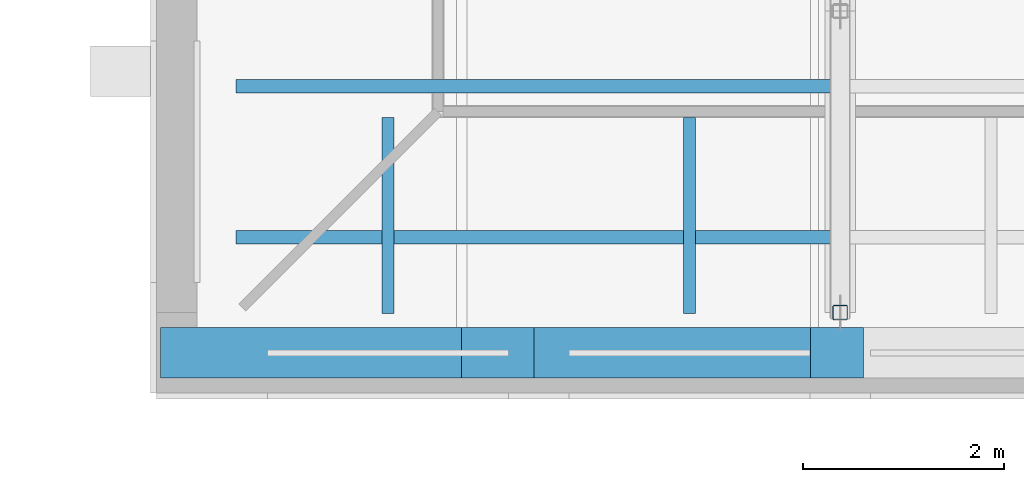
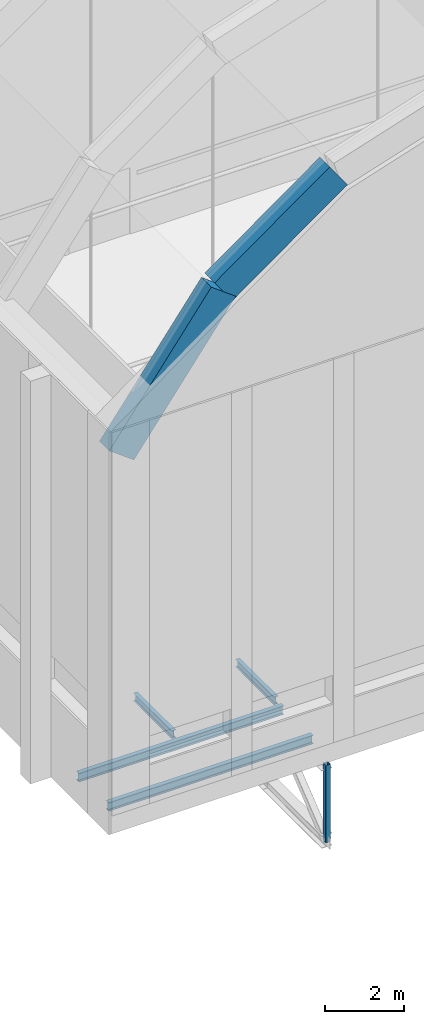
# One storey, part 1 of 55: 4 beams, 3 members.
"""IFC4 building model written with IfcOpenShell, lengths in metres."""

import ifcopenshell
import ifcopenshell.guid

model = None  # the IFC model being written
_history = None  # IfcOwnerHistory: only IFC2X3 demands one
_inside = {}  # id of a spatial element -> (the spatial element, [elements in it])
_under = {}  # id of a project, library or spatial element -> (it, [spatial elements below it])
_declared = {}  # id of a project -> (the project, [libraries it declares])
_typed = {}  # id of a type object -> (the type object, [elements of that type])
_made_of = {}  # id of a material, layer set ... -> (it, [elements and type objects made of it])


def new_model(schema):
    """Start an empty IFC model of exactly this schema.

    Asked for "IFC4X3", IfcOpenShell would pick the latest addendum, in which some entities
    have other attributes; the version numbers below select the first issue.
    IFC2X3 requires an IfcOwnerHistory on every rooted entity: one is made here for all.
    """
    global model, _history
    if schema == "IFC4X3":
        model = ifcopenshell.file(schema_version=(4, 3, 0, 0))
    else:
        model = ifcopenshell.file(schema=schema)
    _inside.clear()
    _under.clear()
    _declared.clear()
    _typed.clear()
    _made_of.clear()
    _history = None
    if model.schema == "IFC2X3":
        org = make("IfcOrganization", Name="unknown")
        user = make(
            "IfcPersonAndOrganization",
            ThePerson=make("IfcPerson", FamilyName="unknown"),
            TheOrganization=org,
        )
        app = make(
            "IfcApplication",
            ApplicationDeveloper=org,
            Version="unknown",
            ApplicationFullName="unknown",
            ApplicationIdentifier="unknown",
        )
        _history = make(
            "IfcOwnerHistory",
            OwningUser=user,
            OwningApplication=app,
            ChangeAction="ADDED",
            CreationDate=0,
        )
    return model


def make(cls, **values):
    """One entity of the class cls with the attributes given. An attribute that is None is left unset."""
    return model.create_entity(
        cls, **{name: value for name, value in values.items() if value is not None}
    )


def rooted(cls, **values):
    """An entity with a GlobalId (a new one), such as an element, a storey or a relation."""
    return make(cls, GlobalId=ifcopenshell.guid.new(), OwnerHistory=_history, **values)


def si_unit(unit_type, name, prefix=None):
    """IfcSIUnit, for example si_unit("LENGTHUNIT", "METRE", prefix="MILLI")."""
    return make("IfcSIUnit", UnitType=unit_type, Prefix=prefix, Name=name)


def assignment(units):
    """IfcUnitAssignment: the units of a project."""
    return None if units is None else make("IfcUnitAssignment", Units=units)


def point(xyz):
    """IfcCartesianPoint."""
    return None if xyz is None else make("IfcCartesianPoint", Coordinates=xyz)


def direction(xyz):
    """IfcDirection."""
    return None if xyz is None else make("IfcDirection", DirectionRatios=xyz)


def frame(location, z_axis=None, x_axis=None):
    """IfcAxis2Placement3D, a coordinate frame: its origin and axes. An axis left out is left unset."""
    return make(
        "IfcAxis2Placement3D",
        Location=point(location),
        Axis=direction(z_axis),
        RefDirection=direction(x_axis),
    )


def frame_2d(location, x_axis=None):
    """IfcAxis2Placement2D, a coordinate frame in the plane: its origin and x axis."""
    return make(
        "IfcAxis2Placement2D", Location=point(location), RefDirection=direction(x_axis)
    )


def origin():
    """The frame at (0, 0, 0) with its axes left unset."""
    return frame((0.0, 0.0, 0.0))


def origin_2d():
    """The frame at (0, 0) in the plane with its x axis left unset."""
    return frame_2d((0.0, 0.0))


def place(relative_to, where):
    """IfcLocalPlacement: puts the frame where relative to a parent placement (None: the world)."""
    return make(
        "IfcLocalPlacement", PlacementRelTo=relative_to, RelativePlacement=where
    )


def context(
    kind, dimensions, precision=None, world=None, true_north=None, identifier=None
):
    """IfcGeometricRepresentationContext, for example the 3D "Model" context."""
    return make(
        "IfcGeometricRepresentationContext",
        ContextIdentifier=identifier,
        ContextType=kind,
        CoordinateSpaceDimension=dimensions,
        Precision=precision,
        WorldCoordinateSystem=world,
        TrueNorth=true_north,
    )


def subcontext(parent, identifier, kind, view, scale=None):
    """IfcGeometricRepresentationSubContext, for example "Body" below "Model"."""
    return make(
        "IfcGeometricRepresentationSubContext",
        ContextIdentifier=identifier,
        ContextType=kind,
        ParentContext=parent,
        TargetScale=scale,
        TargetView=view,
    )


def project(units=None, contexts=None):
    """IfcProject with its units and contexts."""
    return rooted(
        "IfcProject",
        Name="project",
        RepresentationContexts=contexts,
        UnitsInContext=assignment(units),
    )


def spatial(cls, under=None, at=None, **own):
    """A site, building, storey or space (cls), placed at a placement, below another one or the project."""
    s = rooted(cls, ObjectPlacement=at, **own)
    if under is not None:
        _under.setdefault(under.id(), (under, []))[1].append(s)
    return s


def profile(cls, at=None, kind="AREA", **sizes):
    """A parametric profile (cls). Its sizes go by their IFC names, for example OverallWidth=200.0."""
    return make(cls, ProfileType=kind, Position=at, **sizes)


def rectangle(**sizes):
    """IfcRectangleProfileDef."""
    return profile("IfcRectangleProfileDef", **sizes)


def hollow_rectangle(**sizes):
    """IfcRectangleHollowProfileDef."""
    return profile("IfcRectangleHollowProfileDef", **sizes)


def i_section(**sizes):
    """IfcIShapeProfileDef."""
    return profile("IfcIShapeProfileDef", **sizes)


def extrude(swept, where, along, depth):
    """IfcExtrudedAreaSolid: the profile swept, set in the frame where, extruded along a direction by depth."""
    return make(
        "IfcExtrudedAreaSolid",
        SweptArea=swept,
        Position=where,
        ExtrudedDirection=direction(along),
        Depth=depth,
    )


def shape(context_of_items, identifier, shape_type, items):
    """IfcShapeRepresentation: the items that make up one representation, for example the "Body"."""
    return make(
        "IfcShapeRepresentation",
        ContextOfItems=context_of_items,
        RepresentationIdentifier=identifier,
        RepresentationType=shape_type,
        Items=items,
    )


def material(Name=None, Category=None):
    """IfcMaterial."""
    return make("IfcMaterial", Name=Name, Category=Category)


def material_profile(
    of_material, cross_section, Name=None, Category=None, Priority=None
):
    """IfcMaterialProfile: a cross section and its material."""
    return make(
        "IfcMaterialProfile",
        Name=Name,
        Material=of_material,
        Profile=cross_section,
        Priority=Priority,
        Category=Category,
    )


def profile_set(profiles, Name=None, composite=None):
    """IfcMaterialProfileSet."""
    return make(
        "IfcMaterialProfileSet",
        Name=Name,
        MaterialProfiles=profiles,
        CompositeProfile=composite,
    )


def made_of(thing, what):
    """Note that an element or type object is made of a material, layer set ...; save() writes the relation."""
    if what is not None:
        _made_of.setdefault(what.id(), (what, []))[1].append(thing)
    return thing


def type_object(cls, material=None, **own):
    """A type object (cls), such as IfcWallType, which elements share."""
    return made_of(rooted(cls, **own), material)


def element(
    cls,
    number,
    at=None,
    inside=None,
    cuts=None,
    type_object=None,
    material=None,
    context=None,
    identifier="Body",
    shape_type=None,
    held_by="IfcProductDefinitionShape",
    body=None,
    shapes=None,
    **own,
):
    """One element of the class cls, such as IfcWall. Its Tag is "e" and its number.

    at: its placement. inside: the storey or other place that contains it. cuts: it is an
    opening in that element (IfcRelVoidsElement). A single representation is given by context,
    identifier, shape_type and body (its items); several are given by shapes. held_by: the class
    of the entity that holds the representations. save() writes the other relations.
    """
    e = rooted(cls, Tag="e%d" % number, ObjectPlacement=at, **own)
    if body is not None:
        shapes = [shape(context, identifier, shape_type, body)]
    if shapes is not None:
        e.Representation = make(held_by, Representations=shapes)
    if inside is not None:
        _inside.setdefault(inside.id(), (inside, []))[1].append(e)
    if cuts is not None:
        rooted(
            "IfcRelVoidsElement", RelatingBuildingElement=cuts, RelatedOpeningElement=e
        )
    if type_object is not None:
        _typed.setdefault(type_object.id(), (type_object, []))[1].append(e)
    return made_of(e, material)


def aggregate(whole, parts):
    """IfcRelAggregates: a whole, such as a stair, and the parts it consists of."""
    return rooted("IfcRelAggregates", RelatingObject=whole, RelatedObjects=parts)


def save(model, path):
    """Write the relations noted so far, then the file.

    IfcRelAggregates (storeys below a building ...), IfcRelContainedInSpatialStructure (elements
    in a storey), IfcRelDefinesByType, IfcRelAssociatesMaterial and IfcRelDeclares: one each for
    every whole, place, type object, material and project.
    """
    for whole, parts in _under.values():
        aggregate(whole, parts)
    for where, things in _inside.values():
        rooted(
            "IfcRelContainedInSpatialStructure",
            RelatedElements=things,
            RelatingStructure=where,
        )
    for kind, things in _typed.values():
        rooted("IfcRelDefinesByType", RelatedObjects=things, RelatingType=kind)
    for what, things in _made_of.values():
        rooted("IfcRelAssociatesMaterial", RelatedObjects=things, RelatingMaterial=what)
    for by, libraries in _declared.values():
        rooted("IfcRelDeclares", RelatingContext=by, RelatedDefinitions=libraries)
    model.write(path)


model = new_model("IFC4")

# Units and contexts
model_context = context("Model", 3, precision=1e-05, world=origin(), true_north=direction((0.0, 1.0)))
body_context = subcontext(model_context, "Body", "Model", "MODEL_VIEW")
ifc_project = project(units=[si_unit("LENGTHUNIT", "METRE"), si_unit("AREAUNIT", "SQUARE_METRE"), si_unit("VOLUMEUNIT", "CUBIC_METRE"), si_unit("PLANEANGLEUNIT", "RADIAN"), si_unit("MASSUNIT", "GRAM", prefix="KILO")], contexts=[model_context])

# Site, building, storey
site_placement = place(None, origin())
site = spatial("IfcSite", under=ifc_project, at=site_placement, CompositionType="ELEMENT")
building_placement = place(site_placement, origin())
building = spatial("IfcBuilding", under=site, at=building_placement, Name="Lunette Opera House", CompositionType="ELEMENT")
storey_placement = place(building_placement, frame((0.0, 0.0, 34.0)))
storey = spatial("IfcBuildingStorey", under=building, at=storey_placement, Name="L06", CompositionType="ELEMENT", Elevation=34.0)

# Beams
ifc_material_1 = material(Name="Concrete C40/50", Category="concrete")
ifc_material_profile_1 = material_profile(ifc_material_1, rectangle(XDim=0.5, YDim=0.89990234375, at=origin_2d()), Name="ARCH BEAM 500X900")
ifc_profile_set_1 = profile_set([ifc_material_profile_1], Name="Concrete C40/50")
beam_type_1 = type_object("IfcBeamType", Name="ARCH BEAM 500X900", PredefinedType="BEAM", material=ifc_profile_set_1)
beam_1_placement = place(storey_placement, frame((83.60009765625, 95.60009765625, 11.528076171875), z_axis=(0.595879274634, 0.0, 0.803074025269), x_axis=(0.0, 1.0, 0.0)))
element("IfcBeam", 1, at=beam_1_placement, inside=storey, type_object=beam_type_1, Name="beam-ST-L06-EAT1-1", PredefinedType="BEAM", context=body_context, shape_type="SweptSolid", body=[
    extrude(rectangle(XDim=0.5, YDim=0.89990234375, at=origin_2d()), origin(), (0.0, 0.0, 1.0), 5.0244140625),
])
beam_2_placement = place(storey_placement, frame((86.593994140625, 95.60009765625, 15.56298828125), z_axis=(0.81279485596, 0.0, 0.582550016844), x_axis=(0.0, 1.0, 0.0)))
element("IfcBeam", 2, at=beam_2_placement, inside=storey, type_object=beam_type_1, Name="beam-ST-L06-EAT1-2", PredefinedType="BEAM", context=body_context, shape_type="SweptSolid", body=[
    extrude(rectangle(XDim=0.5, YDim=0.89990234375, at=origin_2d()), origin(), (0.0, 0.0, 1.0), 4.15234375),
])

# Members
ifc_material_2 = material(Name="Steel S355", Category="steel")
ifc_material_profile_2 = material_profile(ifc_material_2, i_section(OverallWidth=0.1201171875, OverallDepth=0.239990234375, WebThickness=0.006103515625, FlangeThickness=0.009765625, FilletRadius=0.014892578125, at=origin_2d()), Name="IPE 240")
ifc_profile_set_2 = profile_set([ifc_material_profile_2], Name="Steel S355")
member_type_1 = type_object("IfcMemberType", Name="BRACKET IPE 240", PredefinedType="MEMBER", material=ifc_profile_set_2)
for number, where, z_axis, x_axis, name in (
    (3, (85.5, 95.989990234375, 1.820068359375), (0.0, 1.0, 0.0), (-1.0, 0.0, 0.0), "mem-ST-L06-LOFT-BKS855-959"),
    (4, (88.5, 95.989990234375, 1.820068359375), (0.0, 1.0, 0.0), (-1.0, 0.0, 0.0), "mem-ST-L06-LOFT-BKS885-959"),
):
    element("IfcMember", number, at=place(storey_placement, frame(where, z_axis=z_axis, x_axis=x_axis)), inside=storey, type_object=member_type_1, Name=name, PredefinedType="MEMBER", context=body_context, shape_type="SweptSolid", body=[
        extrude(i_section(OverallWidth=0.1201171875, OverallDepth=0.239990234375, WebThickness=0.006103515625, FlangeThickness=0.009765625, FilletRadius=0.014892578125, at=origin_2d()), origin(), (0.0, 0.0, 1.0), 1.949951171875),
    ])

# Beams
ifc_material_3 = material(Name="Steel S355", Category="steel")
ifc_material_profile_3 = material_profile(ifc_material_3, i_section(OverallWidth=0.135009765625, OverallDepth=0.27001953125, WebThickness=0.006591796875, FlangeThickness=0.01025390625, FilletRadius=0.014892578125, at=origin_2d()), Name="IPE 270")
ifc_profile_set_3 = profile_set([ifc_material_profile_3], Name="Steel S355")
beam_type_2 = type_object("IfcBeamType", Name="STEEL BEAM IPE 270", PredefinedType="BEAM", material=ifc_profile_set_3)
for number, where, z_axis, x_axis, name in (
    (5, (83.989990234375, 96.75, -0.3349609375), (1.0, 0.0, 0.0), (0.0, 1.0, 0.0), "beam-ST-L06-GRID-9675-1"),
    (6, (83.989990234375, 98.25, -0.3349609375), (1.0, 0.0, 0.0), (0.0, 1.0, 0.0), "beam-ST-L06-GRID-9825-1"),
):
    element("IfcBeam", number, at=place(storey_placement, frame(where, z_axis=z_axis, x_axis=x_axis)), inside=storey, type_object=beam_type_2, Name=name, PredefinedType="BEAM", context=body_context, shape_type="SweptSolid", body=[
        extrude(i_section(OverallWidth=0.135009765625, OverallDepth=0.27001953125, WebThickness=0.006591796875, FlangeThickness=0.01025390625, FilletRadius=0.014892578125, at=origin_2d()), origin(), (0.0, 0.0, 1.0), 6.010009765625),
    ])

# Member
ifc_material_4 = material(Name="Steel S355", Category="steel")
ifc_material_profile_4 = material_profile(ifc_material_4, hollow_rectangle(XDim=0.14990234375, YDim=0.14990234375, WallThickness=0.008056640625, InnerFilletRadius=0.008056640625, OuterFilletRadius=0.01611328125, at=origin_2d()), Name="RHS 150X150X8")
ifc_profile_set_4 = profile_set([ifc_material_profile_4], Name="Steel S355")
member_type_2 = type_object("IfcMemberType", Name="VERTICAL RHS 150X150X8", PredefinedType="POST", material=ifc_profile_set_4)
member_placement = place(storey_placement, frame((90.0, 96.0, -3.06494140625), z_axis=(0.0, 0.0, 1.0), x_axis=(1.0, 0.0, 0.0)))
element("IfcMember", 7, at=member_placement, inside=storey, type_object=member_type_2, Name="mem-ST-L06-ST-TR01-TV1", PredefinedType="POST", context=body_context, shape_type="SweptSolid", body=[
    extrude(hollow_rectangle(XDim=0.14990234375, YDim=0.14990234375, WallThickness=0.008056640625, InnerFilletRadius=0.008056640625, OuterFilletRadius=0.01611328125, at=origin_2d()), origin(), (0.0, 0.0, 1.0), 2.39990234375),
])

save(model, "model.ifc")
